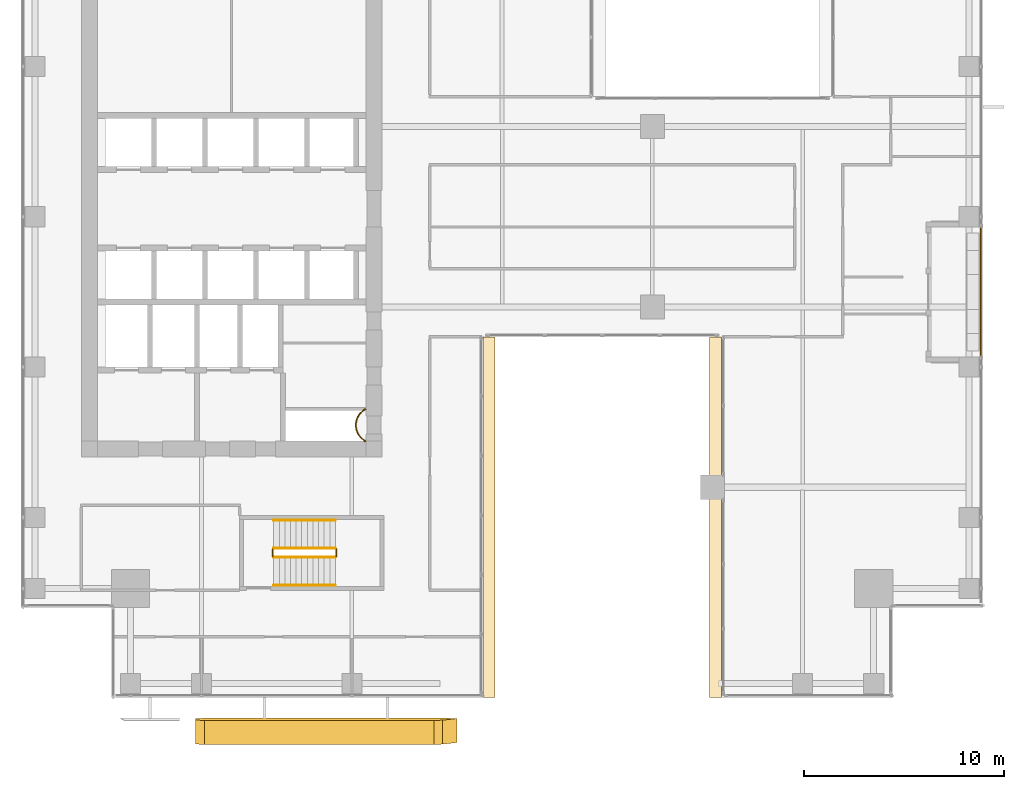
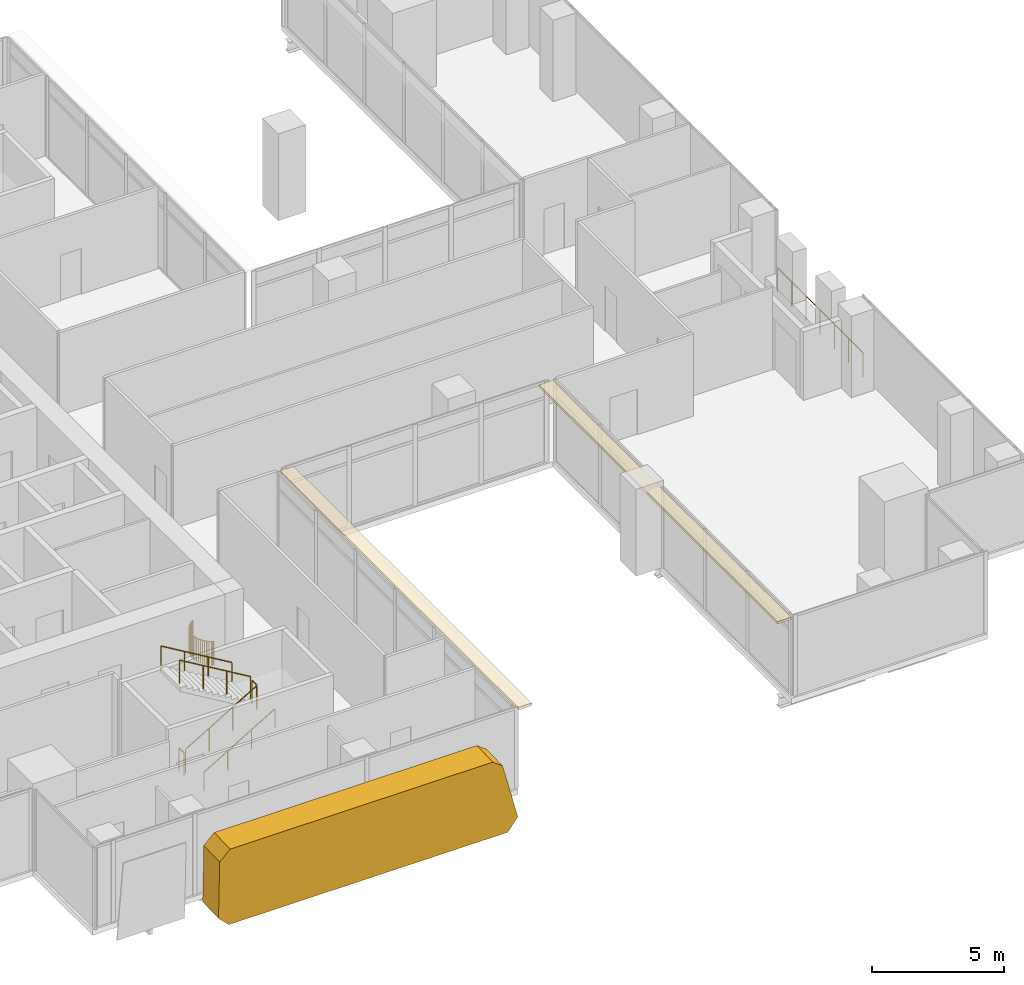
# One storey, part 35 of 37: 8 railings, 3 coverings.
"""IFC4 building model written with IfcOpenShell, lengths in metres."""

from ifc_helpers import new_model, si_unit, direction, frame, origin, origin_2d, place, context, subcontext, project, spatial, polyline, circle, outline, extrude, source, transform, mapped, material, layer, layer_set, type_object, element, save


model = new_model("IFC4")

# Units and contexts
model_context = context("Model", 3, precision=1e-05, world=origin(), true_north=direction((0.0, 1.0)))
body_context = subcontext(model_context, "Body", "Model", "MODEL_VIEW")
ifc_project = project(units=[si_unit("LENGTHUNIT", "METRE"), si_unit("AREAUNIT", "SQUARE_METRE"), si_unit("VOLUMEUNIT", "CUBIC_METRE"), si_unit("PLANEANGLEUNIT", "RADIAN"), si_unit("MASSUNIT", "GRAM", prefix="KILO")], contexts=[model_context])

# Site, building, storey
site_placement = place(None, origin())
site = spatial("IfcSite", under=ifc_project, at=site_placement, CompositionType="ELEMENT")
building_placement = place(site_placement, origin())
building = spatial("IfcBuilding", under=site, at=building_placement, Name="Khomas Fold Tower", CompositionType="ELEMENT")
storey_placement = place(building_placement, frame((0.0, 0.0, 168.699951171875)))
storey = spatial("IfcBuildingStorey", under=building, at=storey_placement, Name="L36", CompositionType="ELEMENT", Elevation=168.699951171875)

# Covering
ifc_material_1 = material(Name="Natural stone cladding", Category="masonry")
ifc_layer_1 = layer(ifc_material_1, 1.199951171875)
ifc_layer_set_1 = layer_set([ifc_layer_1], Name="Natural stone cladding")
covering_type_1 = type_object("IfcCoveringType", Name="SK-Karibib marble stone panel", PredefinedType="CLADDING", material=ifc_layer_set_1)
covering_1_placement = place(storey_placement, frame((24.029296875, 1.8740234375, 3.217041015625), z_axis=(-1.85162e-07, 0.999510714012, 0.031278308397), x_axis=(0.26008422608, 0.030201942752, -0.965113484518)))
element("IfcCovering", 1, at=covering_1_placement, inside=storey, type_object=covering_type_1, Name="OUTER SKIN leaf L36 SS03-1", PredefinedType="CLADDING", context=body_context, shape_type="SweptSolid", body=[
    extrude(outline(polyline([(0.0, 0.0), (2.745692573920281, -1.1102230246251565e-16), (3.1806226345064528, 0.566955877219602), (0.018211795721401636, 12.307688748707752), (-0.5334950141689703, 12.625072134818897), (-3.09369411938856, 11.935472815232393), (-3.411343151136402, 11.383925142560773), (-0.4347249015868557, 0.3329638633538514), (0.0, 0.0)])), origin(), (0.0, 0.0, -1.0), 1.199951171875),
])

# Railing
ifc_material_2 = material(Name="Powder-coated steel", Category="steel")
railing_type_1 = type_object("IfcRailingType", Name="Balcony guard", PredefinedType="GUARDRAIL", material=ifc_material_2)
shared_shape_1 = source(origin(), body_context, "Body", "SweptSolid", [
    extrude(circle(Radius=0.02490234375, at=origin_2d()), frame((0.0, 0.0, 1.125), z_axis=(0.0, 1.0, 0.0), x_axis=(-1.0, 0.0, 0.0)), (0.0, 0.0, 1.0), 6.43994140625),
    extrude(circle(Radius=0.02001953125, at=origin_2d()), origin(), (0.0, 0.0, 1.0), 1.099853515625),
    extrude(circle(Radius=0.02001953125, at=origin_2d()), frame((0.0, 1.0732421875, 0.0)), (0.0, 0.0, 1.0), 1.099853515625),
    extrude(circle(Radius=0.02001953125, at=origin_2d()), frame((0.0, 2.146728515625, 0.0)), (0.0, 0.0, 1.0), 1.099853515625),
    extrude(circle(Radius=0.02001953125, at=origin_2d()), frame((0.0, 3.219970703125, 0.0)), (0.0, 0.0, 1.0), 1.099853515625),
    extrude(circle(Radius=0.02001953125, at=origin_2d()), frame((0.0, 4.293212890625, 0.0)), (0.0, 0.0, 1.0), 1.099853515625),
    extrude(circle(Radius=0.02001953125, at=origin_2d()), frame((0.0, 5.36669921875, 0.0)), (0.0, 0.0, 1.0), 1.099853515625),
    extrude(circle(Radius=0.02001953125, at=origin_2d()), frame((0.0, 6.43994140625, 0.0)), (0.0, 0.0, 1.0), 1.099853515625),
])
railing_1_placement = place(storey_placement, frame((50.89990234375, 20.030029296875, -0.044921875)))
element("IfcRailing", 2, at=railing_1_placement, inside=storey, type_object=railing_type_1, Name="Balcony guard BAL-L36-E2", PredefinedType="GUARDRAIL", context=body_context, shape_type="MappedRepresentation", body=[
    mapped(shared_shape_1, transform((0.0, 0.0, 0.0))),
])

# Coverings
ifc_material_3 = material(Name="Natural stone cladding", Category="masonry")
ifc_layer_2 = layer(ifc_material_3, 0.1201171875)
ifc_layer_set_2 = layer_set([ifc_layer_2], Name="Natural stone cladding")
covering_type_2 = type_object("IfcCoveringType", Name="Notch soffit stone GN-SF", PredefinedType="CLADDING", material=ifc_layer_set_2)
shared_shape_2 = source(origin(), body_context, "Body", "SweptSolid", [
    extrude(outline(polyline([(37.35009765625, 21.0), (37.35009765625, 3.0), (37.949951171875, 3.0), (37.949951171875, 21.0), (37.35009765625, 21.0)])), origin(), (0.0, 0.0, 1.0), 0.119873046875),
])
covering_2_placement = place(storey_placement, frame((0.0, 0.0, 3.630126953125)))
element("IfcCovering", 3, at=covering_2_placement, inside=storey, type_object=covering_type_2, Name="Notch soffit stone", PredefinedType="CLADDING", context=body_context, shape_type="MappedRepresentation", body=[
    mapped(shared_shape_2, transform((0.0, 0.0, 0.0))),
])
shared_shape_3 = source(origin(), body_context, "Body", "SweptSolid", [
    extrude(outline(polyline([(26.64990234375, 3.0), (26.64990234375, 21.0), (26.050048828125, 21.0), (26.050048828125, 3.0), (26.64990234375, 3.0)])), origin(), (0.0, 0.0, 1.0), 0.119873046875),
])
covering_3_placement = place(storey_placement, frame((0.0, 0.0, 3.630126953125)))
element("IfcCovering", 4, at=covering_3_placement, inside=storey, type_object=covering_type_2, Name="Notch soffit stone", PredefinedType="CLADDING", context=body_context, shape_type="MappedRepresentation", body=[
    mapped(shared_shape_3, transform((0.0, 0.0, 0.0))),
])

# Railings
ifc_material_4 = material(Name="Steel balustrade", Category="steel")
railing_type_2 = type_object("IfcRailingType", Name="Stair guard", PredefinedType="GUARDRAIL", material=ifc_material_4)
shared_shape_4 = source(origin(), body_context, "Body", "SweptSolid", [
    extrude(circle(Radius=0.02392578125, at=origin_2d()), frame((0.0, 0.0, 1.076171875), z_axis=(0.0, 1.0, 0.0), x_axis=(-1.0, 0.0, 0.0)), (0.0, 0.0, 1.0), 0.349853515625),
    extrude(circle(Radius=0.02099609375, at=origin_2d()), origin(), (0.0, 0.0, 1.0), 1.052001953125),
    extrude(circle(Radius=0.02099609375, at=origin_2d()), frame((0.0, 0.349853515625, 0.0)), (0.0, 0.0, 1.0), 1.052001953125),
])
for number, where, name in (
    (5, (18.72998046875, 10.050048828125, 2.0), "L36 ST2 stair guard 2"),
    (6, (15.550048828125, 10.050048828125, 0.0), "L36 ST2 stair guard 4"),
):
    element("IfcRailing", number, at=place(storey_placement, frame(where)), inside=storey, type_object=railing_type_2, Name=name, PredefinedType="GUARDRAIL", context=body_context, shape_type="MappedRepresentation", body=[
        mapped(shared_shape_4, transform((0.0, 0.0, 0.0))),
    ])
shared_shape_5 = source(origin(), body_context, "Body", "SweptSolid", [
    extrude(circle(Radius=0.02392578125, at=origin_2d()), frame((0.0, 0.0, 1.076171875), z_axis=(0.859290745958, 0.0, 0.51148745235), x_axis=(0.0, 1.0, 0.0)), (0.0, 0.0, 1.0), 3.584228515625),
    extrude(circle(Radius=0.02099609375, at=origin_2d()), origin(), (0.0, 0.0, 1.0), 1.052001953125),
    extrude(circle(Radius=0.02099609375, at=origin_2d()), frame((1.026611328125, 0.0, 0.611083984375)), (0.0, 0.0, 1.0), 1.052001953125),
    extrude(circle(Radius=0.02099609375, at=origin_2d()), frame((2.05322265625, 0.0, 1.22216796875)), (0.0, 0.0, 1.0), 1.052001953125),
    extrude(circle(Radius=0.02099609375, at=origin_2d()), frame((3.079833984375, 0.0, 1.833251953125)), (0.0, 0.0, 1.0), 1.052001953125),
])
railing_2_placement = place(storey_placement, frame((15.60009765625, 10.0, 0.166748046875)))
element("IfcRailing", 7, at=railing_2_placement, inside=storey, type_object=railing_type_2, Name="L36 ST2 stair guard 1", PredefinedType="GUARDRAIL", context=body_context, shape_type="MappedRepresentation", body=[
    mapped(shared_shape_5, transform((0.0, 0.0, 0.0))),
])
shared_shape_6 = source(origin(), body_context, "Body", "SweptSolid", [
    extrude(circle(Radius=0.02392578125, at=origin_2d()), frame((0.0, 0.0, 1.076171875), z_axis=(-0.859290745958, 0.0, 0.51148745235), x_axis=(0.0, -1.0, 0.0)), (0.0, 0.0, 1.0), 3.584228515625),
    extrude(circle(Radius=0.02099609375, at=origin_2d()), origin(), (0.0, 0.0, 1.0), 1.052001953125),
    extrude(circle(Radius=0.02099609375, at=origin_2d()), frame((-1.026611328125, 0.0, 0.611083984375)), (0.0, 0.0, 1.0), 1.052001953125),
    extrude(circle(Radius=0.02099609375, at=origin_2d()), frame((-2.05322265625, 0.0, 1.22216796875)), (0.0, 0.0, 1.0), 1.052001953125),
    extrude(circle(Radius=0.02099609375, at=origin_2d()), frame((-3.079833984375, 0.0, 1.833251953125)), (0.0, 0.0, 1.0), 1.052001953125),
])
railing_3_placement = place(storey_placement, frame((18.679931640625, 10.449951171875, 2.166748046875)))
element("IfcRailing", 8, at=railing_3_placement, inside=storey, type_object=railing_type_2, Name="L36 ST2 stair guard 3", PredefinedType="GUARDRAIL", context=body_context, shape_type="MappedRepresentation", body=[
    mapped(shared_shape_6, transform((0.0, 0.0, 0.0))),
])
ifc_material_5 = material(Name="Steel handrail", Category="steel")
railing_type_3 = type_object("IfcRailingType", Name="Stair handrail", PredefinedType="HANDRAIL", material=ifc_material_5)
shared_shape_7 = source(origin(), body_context, "Body", "SweptSolid", [
    extrude(circle(Radius=0.02392578125, at=origin_2d()), frame((0.0, 0.0, 0.8759765625), z_axis=(0.859290745958, 0.0, 0.51148745235), x_axis=(0.0, 1.0, 0.0)), (0.0, 0.0, 1.0), 3.584228515625),
    extrude(circle(Radius=0.02099609375, at=origin_2d()), origin(), (0.0, 0.0, 1.0), 0.851806640625),
    extrude(circle(Radius=0.02099609375, at=origin_2d()), frame((1.026611328125, 0.0, 0.611083984375)), (0.0, 0.0, 1.0), 0.851806640625),
    extrude(circle(Radius=0.02099609375, at=origin_2d()), frame((2.05322265625, 0.0, 1.22216796875)), (0.0, 0.0, 1.0), 0.851806640625),
    extrude(circle(Radius=0.02099609375, at=origin_2d()), frame((3.079833984375, 0.0, 1.833251953125)), (0.0, 0.0, 1.0), 0.851806640625),
])
railing_4_placement = place(storey_placement, frame((15.60009765625, 8.60009765625, 0.166748046875)))
element("IfcRailing", 9, at=railing_4_placement, inside=storey, type_object=railing_type_3, Name="L36 ST2 stair handrail 1", PredefinedType="HANDRAIL", context=body_context, shape_type="MappedRepresentation", body=[
    mapped(shared_shape_7, transform((0.0, 0.0, 0.0))),
])
shared_shape_8 = source(origin(), body_context, "Body", "SweptSolid", [
    extrude(circle(Radius=0.02392578125, at=origin_2d()), frame((0.0, 0.0, 0.8759765625), z_axis=(-0.859290745958, 0.0, 0.51148745235), x_axis=(0.0, -1.0, 0.0)), (0.0, 0.0, 1.0), 3.584228515625),
    extrude(circle(Radius=0.02099609375, at=origin_2d()), origin(), (0.0, 0.0, 1.0), 0.851806640625),
    extrude(circle(Radius=0.02099609375, at=origin_2d()), frame((-1.026611328125, 0.0, 0.611083984375)), (0.0, 0.0, 1.0), 0.851806640625),
    extrude(circle(Radius=0.02099609375, at=origin_2d()), frame((-2.05322265625, 0.0, 1.22216796875)), (0.0, 0.0, 1.0), 0.851806640625),
    extrude(circle(Radius=0.02099609375, at=origin_2d()), frame((-3.079833984375, 0.0, 1.833251953125)), (0.0, 0.0, 1.0), 0.851806640625),
])
railing_5_placement = place(storey_placement, frame((18.679931640625, 11.85009765625, 2.166748046875)))
element("IfcRailing", 10, at=railing_5_placement, inside=storey, type_object=railing_type_3, Name="L36 ST2 stair handrail 2", PredefinedType="HANDRAIL", context=body_context, shape_type="MappedRepresentation", body=[
    mapped(shared_shape_8, transform((0.0, 0.0, 0.0))),
])
ifc_material_6 = material(Name="Steel balustrade", Category="steel")
railing_type_4 = type_object("IfcRailingType", Name="Shaft guard", PredefinedType="GUARDRAIL", material=ifc_material_6)
shared_shape_9 = source(origin(), body_context, "Body", "SweptSolid", [
    extrude(circle(Radius=0.02490234375, at=origin_2d()), frame((0.0, 0.0, 1.0751953125), z_axis=(1.0, 0.0, 0.0), x_axis=(0.0, 1.0, 0.0)), (0.0, 0.0, 1.0), 0.06103515625),
    extrude(circle(Radius=0.02490234375, at=origin_2d()), frame((0.06103515625, 0.0, 1.0751953125), z_axis=(-0.90746690712, -0.420123568111, 0.0), x_axis=(0.420123568111, -0.90746690712, 0.0)), (0.0, 0.0, 1.0), 0.0146484375),
    extrude(circle(Radius=0.02490234375, at=origin_2d()), frame((0.0478515625, -0.006103515625, 1.0751953125), z_axis=(-0.857492925713, -0.514495755428, 0.0), x_axis=(0.514495755428, -0.857492925713, 0.0)), (0.0, 0.0, 1.0), 0.08837890625),
    extrude(circle(Radius=0.02490234375, at=origin_2d()), frame((-0.02783203125, -0.051513671875, 1.0751953125), z_axis=(-0.802970227885, -0.596019138224, 0.0), x_axis=(0.596019138224, -0.802970227885, 0.0)), (0.0, 0.0, 1.0), 0.08837890625),
    extrude(circle(Radius=0.02490234375, at=origin_2d()), frame((-0.098876953125, -0.104248046875, 1.0751953125), z_axis=(-0.740814996175, -0.671709119666, 0.0), x_axis=(0.671709119666, -0.740814996175, 0.0)), (0.0, 0.0, 1.0), 0.08837890625),
    extrude(circle(Radius=0.02490234375, at=origin_2d()), frame((-0.164306640625, -0.16357421875, 1.0751953125), z_axis=(-0.671709119666, -0.740814996175, 0.0), x_axis=(0.740814996175, -0.671709119666, 0.0)), (0.0, 0.0, 1.0), 0.08837890625),
    extrude(circle(Radius=0.02490234375, at=origin_2d()), frame((-0.2236328125, -0.22900390625, 1.0751953125), z_axis=(-0.595558727233, -0.803311771616, 0.0), x_axis=(0.803311771616, -0.595558727233, 0.0)), (0.0, 0.0, 1.0), 0.088134765625),
    extrude(circle(Radius=0.02490234375, at=origin_2d()), frame((-0.276123046875, -0.2998046875, 1.0751953125), z_axis=(-0.514495755428, -0.857492925713, 0.0), x_axis=(0.857492925713, -0.514495755428, 0.0)), (0.0, 0.0, 1.0), 0.08837890625),
    extrude(circle(Radius=0.02490234375, at=origin_2d()), frame((-0.321533203125, -0.37548828125, 1.0751953125), z_axis=(-0.427256721383, -0.904130352346, 0.0), x_axis=(0.904130352346, -0.427256721383, 0.0)), (0.0, 0.0, 1.0), 0.088623046875),
    extrude(circle(Radius=0.02490234375, at=origin_2d()), frame((-0.359375, -0.45556640625, 1.0751953125), z_axis=(-0.337738989679, -0.941239807302, 0.0), x_axis=(0.941239807302, -0.337738989679, 0.0)), (0.0, 0.0, 1.0), 0.088134765625),
    extrude(circle(Radius=0.02490234375, at=origin_2d()), frame((-0.38916015625, -0.53857421875, 1.0751953125), z_axis=(-0.243185799972, -0.969979724887, 0.0), x_axis=(0.969979724887, -0.243185799972, 0.0)), (0.0, 0.0, 1.0), 0.08837890625),
    extrude(circle(Radius=0.02490234375, at=origin_2d()), frame((-0.41064453125, -0.624267578125, 1.0751953125), z_axis=(-0.146448518259, -0.989218293148, 0.0), x_axis=(0.989218293148, -0.146448518259, 0.0)), (0.0, 0.0, 1.0), 0.08837890625),
    extrude(circle(Radius=0.02490234375, at=origin_2d()), frame((-0.423583984375, -0.711669921875, 1.0751953125), z_axis=(-0.049799629132, -0.998759228712, 0.0), x_axis=(0.998759228712, -0.049799629132, 0.0)), (0.0, 0.0, 1.0), 0.088134765625),
    extrude(circle(Radius=0.02490234375, at=origin_2d()), frame((-0.427978515625, -0.7998046875, 1.0751953125), z_axis=(0.049662400856, -0.998766061669, 0.0), x_axis=(0.998766061669, 0.049662400856, 0.0)), (0.0, 0.0, 1.0), 0.08837890625),
    extrude(circle(Radius=0.02490234375, at=origin_2d()), frame((-0.423583984375, -0.88818359375, 1.0751953125), z_axis=(0.146448518259, -0.989218293148, 0.0), x_axis=(0.989218293148, 0.146448518259, 0.0)), (0.0, 0.0, 1.0), 0.08837890625),
    extrude(circle(Radius=0.02490234375, at=origin_2d()), frame((-0.41064453125, -0.9755859375, 1.0751953125), z_axis=(0.243185799972, -0.969979724887, 0.0), x_axis=(0.969979724887, 0.243185799972, 0.0)), (0.0, 0.0, 1.0), 0.08837890625),
    extrude(circle(Radius=0.02490234375, at=origin_2d()), frame((-0.38916015625, -1.061279296875, 1.0751953125), z_axis=(0.337738989679, -0.941239807302, 0.0), x_axis=(0.941239807302, 0.337738989679, 0.0)), (0.0, 0.0, 1.0), 0.088134765625),
    extrude(circle(Radius=0.02490234375, at=origin_2d()), frame((-0.359375, -1.144287109375, 1.0751953125), z_axis=(0.428323905606, -0.903625271828, 0.0), x_axis=(0.903625271828, 0.428323905606, 0.0)), (0.0, 0.0, 1.0), 0.08837890625),
    extrude(circle(Radius=0.02490234375, at=origin_2d()), frame((-0.321533203125, -1.22412109375, 1.0751953125), z_axis=(0.514495755428, -0.857492925713, 0.0), x_axis=(0.857492925713, 0.514495755428, 0.0)), (0.0, 0.0, 1.0), 0.08837890625),
    extrude(circle(Radius=0.02490234375, at=origin_2d()), frame((-0.276123046875, -1.2998046875, 1.0751953125), z_axis=(0.594235623595, -0.804291006819, 0.0), x_axis=(0.804291006819, 0.594235623595, 0.0)), (0.0, 0.0, 1.0), 0.08837890625),
    extrude(circle(Radius=0.02490234375, at=origin_2d()), frame((-0.2236328125, -1.370849609375, 1.0751953125), z_axis=(0.671709119666, -0.740814996175, 0.0), x_axis=(0.740814996175, 0.671709119666, 0.0)), (0.0, 0.0, 1.0), 0.08837890625),
    extrude(circle(Radius=0.02490234375, at=origin_2d()), frame((-0.164306640625, -1.436279296875, 1.0751953125), z_axis=(0.740814996175, -0.671709119666, 0.0), x_axis=(0.671709119666, 0.740814996175, 0.0)), (0.0, 0.0, 1.0), 0.08837890625),
    extrude(circle(Radius=0.02490234375, at=origin_2d()), frame((-0.098876953125, -1.49560546875, 1.0751953125), z_axis=(0.804291006819, -0.594235623595, 0.0), x_axis=(0.594235623595, 0.804291006819, 0.0)), (0.0, 0.0, 1.0), 0.08837890625),
    extrude(circle(Radius=0.02490234375, at=origin_2d()), frame((-0.02783203125, -1.548095703125, 1.0751953125), z_axis=(0.857492925713, -0.514495755428, 0.0), x_axis=(0.514495755428, 0.857492925713, 0.0)), (0.0, 0.0, 1.0), 0.08837890625),
    extrude(circle(Radius=0.02490234375, at=origin_2d()), frame((0.0478515625, -1.593505859375, 1.0751953125), z_axis=(0.901001669759, -0.433815618773, 0.0), x_axis=(0.433815618773, 0.901001669759, 0.0)), (0.0, 0.0, 1.0), 0.0146484375),
    extrude(circle(Radius=0.02490234375, at=origin_2d()), frame((0.06103515625, -1.599853515625, 1.0751953125), z_axis=(-1.0, 0.0, 0.0), x_axis=(0.0, -1.0, 0.0)), (0.0, 0.0, 1.0), 0.06103515625),
    extrude(circle(Radius=0.02001953125, at=origin_2d()), origin(), (0.0, 0.0, 1.0), 1.050048828125),
    extrude(circle(Radius=0.02001953125, at=origin_2d()), frame((0.06103515625, 0.0, 0.0)), (0.0, 0.0, 1.0), 1.050048828125),
    extrude(circle(Radius=0.02001953125, at=origin_2d()), frame((0.0478515625, -0.006103515625, 0.0)), (0.0, 0.0, 1.0), 1.050048828125),
    extrude(circle(Radius=0.02001953125, at=origin_2d()), frame((-0.02783203125, -0.051513671875, 0.0)), (0.0, 0.0, 1.0), 1.050048828125),
    extrude(circle(Radius=0.02001953125, at=origin_2d()), frame((-0.098876953125, -0.104248046875, 0.0)), (0.0, 0.0, 1.0), 1.050048828125),
    extrude(circle(Radius=0.02001953125, at=origin_2d()), frame((-0.164306640625, -0.16357421875, 0.0)), (0.0, 0.0, 1.0), 1.050048828125),
    extrude(circle(Radius=0.02001953125, at=origin_2d()), frame((-0.2236328125, -0.22900390625, 0.0)), (0.0, 0.0, 1.0), 1.050048828125),
    extrude(circle(Radius=0.02001953125, at=origin_2d()), frame((-0.276123046875, -0.2998046875, 0.0)), (0.0, 0.0, 1.0), 1.050048828125),
    extrude(circle(Radius=0.02001953125, at=origin_2d()), frame((-0.321533203125, -0.37548828125, 0.0)), (0.0, 0.0, 1.0), 1.050048828125),
    extrude(circle(Radius=0.02001953125, at=origin_2d()), frame((-0.359375, -0.45556640625, 0.0)), (0.0, 0.0, 1.0), 1.050048828125),
    extrude(circle(Radius=0.02001953125, at=origin_2d()), frame((-0.38916015625, -0.53857421875, 0.0)), (0.0, 0.0, 1.0), 1.050048828125),
    extrude(circle(Radius=0.02001953125, at=origin_2d()), frame((-0.41064453125, -0.624267578125, 0.0)), (0.0, 0.0, 1.0), 1.050048828125),
    extrude(circle(Radius=0.02001953125, at=origin_2d()), frame((-0.423583984375, -0.711669921875, 0.0)), (0.0, 0.0, 1.0), 1.050048828125),
    extrude(circle(Radius=0.02001953125, at=origin_2d()), frame((-0.427978515625, -0.7998046875, 0.0)), (0.0, 0.0, 1.0), 1.050048828125),
    extrude(circle(Radius=0.02001953125, at=origin_2d()), frame((-0.423583984375, -0.88818359375, 0.0)), (0.0, 0.0, 1.0), 1.050048828125),
    extrude(circle(Radius=0.02001953125, at=origin_2d()), frame((-0.41064453125, -0.9755859375, 0.0)), (0.0, 0.0, 1.0), 1.050048828125),
    extrude(circle(Radius=0.02001953125, at=origin_2d()), frame((-0.38916015625, -1.061279296875, 0.0)), (0.0, 0.0, 1.0), 1.050048828125),
    extrude(circle(Radius=0.02001953125, at=origin_2d()), frame((-0.359375, -1.144287109375, 0.0)), (0.0, 0.0, 1.0), 1.050048828125),
    extrude(circle(Radius=0.02001953125, at=origin_2d()), frame((-0.321533203125, -1.22412109375, 0.0)), (0.0, 0.0, 1.0), 1.050048828125),
    extrude(circle(Radius=0.02001953125, at=origin_2d()), frame((-0.276123046875, -1.2998046875, 0.0)), (0.0, 0.0, 1.0), 1.050048828125),
    extrude(circle(Radius=0.02001953125, at=origin_2d()), frame((-0.2236328125, -1.370849609375, 0.0)), (0.0, 0.0, 1.0), 1.050048828125),
    extrude(circle(Radius=0.02001953125, at=origin_2d()), frame((-0.164306640625, -1.436279296875, 0.0)), (0.0, 0.0, 1.0), 1.050048828125),
    extrude(circle(Radius=0.02001953125, at=origin_2d()), frame((-0.098876953125, -1.49560546875, 0.0)), (0.0, 0.0, 1.0), 1.050048828125),
    extrude(circle(Radius=0.02001953125, at=origin_2d()), frame((-0.02783203125, -1.548095703125, 0.0)), (0.0, 0.0, 1.0), 1.050048828125),
    extrude(circle(Radius=0.02001953125, at=origin_2d()), frame((0.0478515625, -1.593505859375, 0.0)), (0.0, 0.0, 1.0), 1.050048828125),
    extrude(circle(Radius=0.02001953125, at=origin_2d()), frame((0.06103515625, -1.599853515625, 0.0)), (0.0, 0.0, 1.0), 1.050048828125),
    extrude(circle(Radius=0.02001953125, at=origin_2d()), frame((0.0, -1.599853515625, 0.0)), (0.0, 0.0, 1.0), 1.050048828125),
])
railing_6_placement = place(storey_placement, frame((20.1279296875, 17.39990234375, 0.0)))
element("IfcRailing", 11, at=railing_6_placement, inside=storey, type_object=railing_type_4, Name="Shaft guard L36 1", PredefinedType="GUARDRAIL", context=body_context, shape_type="MappedRepresentation", body=[
    mapped(shared_shape_9, transform((0.0, 0.0, 0.0))),
])

save(model, "model.ifc")
